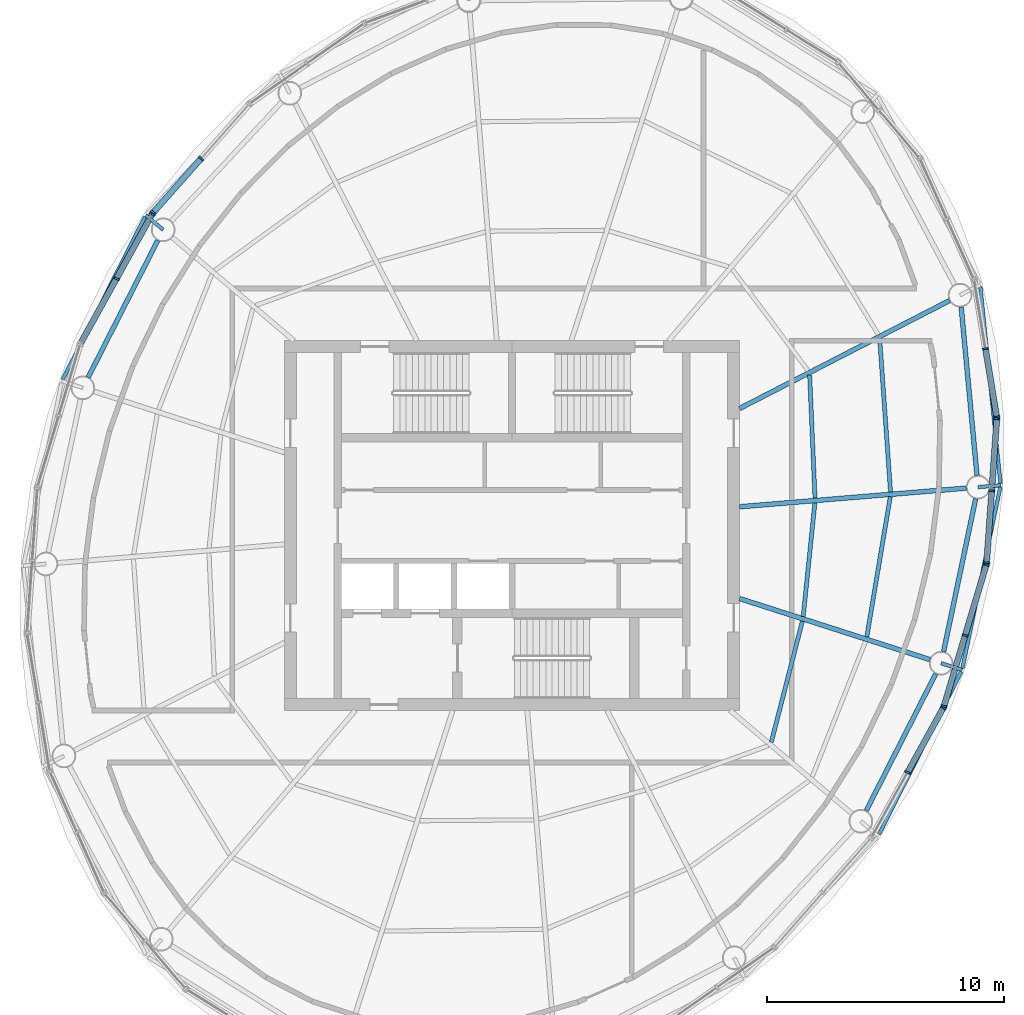
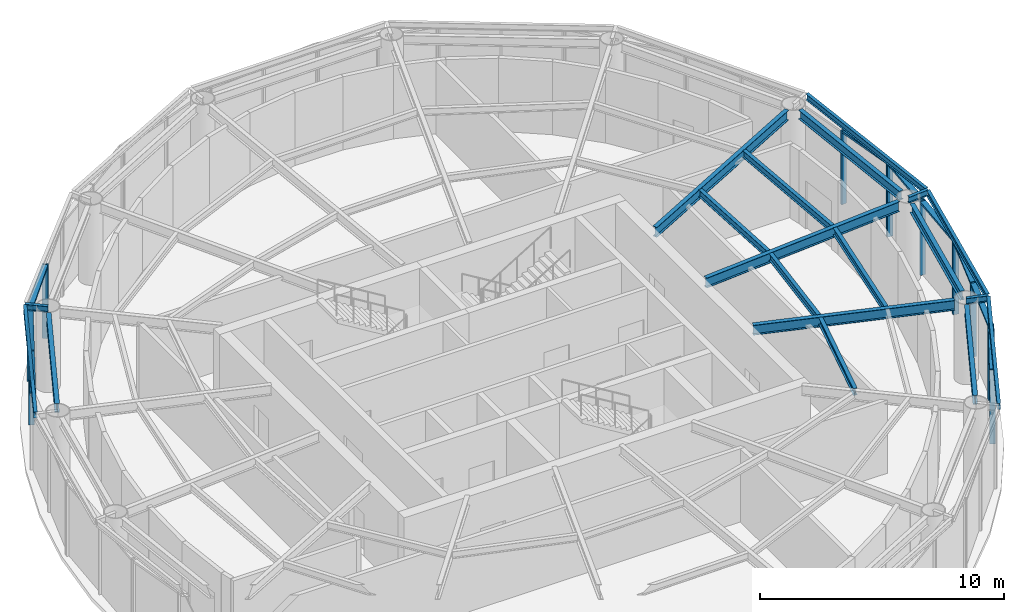
# One storey, part 4 of 11: 23 members, 19 beams, 6 elements without a shape of their own.
"""IFC4 building model written with IfcOpenShell, lengths in metres."""

from ifc_helpers import new_model, si_unit, direction, frame, origin, origin_2d, place, context, subcontext, project, spatial, rectangle, i_section, extrude, material, material_profile, profile_set, type_object, element, aggregate, save


model = new_model("IFC4")

# Units and contexts
model_context = context("Model", 3, precision=1e-05, world=origin(), true_north=direction((0.0, 1.0)))
body_context = subcontext(model_context, "Body", "Model", "MODEL_VIEW")
ifc_project = project(units=[si_unit("LENGTHUNIT", "METRE"), si_unit("AREAUNIT", "SQUARE_METRE"), si_unit("VOLUMEUNIT", "CUBIC_METRE"), si_unit("PLANEANGLEUNIT", "RADIAN"), si_unit("MASSUNIT", "GRAM", prefix="KILO")], contexts=[model_context])

# Site, building, storey
site_placement = place(None, origin())
site = spatial("IfcSite", under=ifc_project, at=site_placement, CompositionType="ELEMENT")
building_placement = place(site_placement, origin())
building = spatial("IfcBuilding", under=site, at=building_placement, Name="Vermilion Reach Broadcast Tower", CompositionType="ELEMENT")
storey_placement = place(building_placement, frame((0.0, 0.0, 317.10009765625)))
storey = spatial("IfcBuildingStorey", under=building, at=storey_placement, Name="L79 CROWN", CompositionType="ELEMENT", Elevation=317.10009765625)

# Curtain wall, members
ifc_material_1 = material(Name="Low-e laminated clear glass in aluminium frame", Category="aluminium")
curtain_wall_type = type_object("IfcCurtainWallType", Name="Crown glazing curtain wall", PredefinedType="NOTDEFINED", material=ifc_material_1)
placement = place(storey_placement, origin())
curtain_wall_1 = element("IfcCurtainWall", 1, at=placement, inside=storey, type_object=curtain_wall_type, Name="Crown glazing L79 CROWN 05", PredefinedType="NOTDEFINED")
ifc_material_2 = material(Name="Anodised aluminium", Category="aluminium")
ifc_material_profile_1 = material_profile(ifc_material_2, rectangle(XDim=0.25, YDim=0.080078125, at=origin_2d()), Name="Crown glazing mullion 80 x 250")
ifc_profile_set_1 = profile_set([ifc_material_profile_1], Name="Anodised aluminium")
member_type_1 = type_object("IfcMemberType", Name="Crown glazing mullion 80 x 250", PredefinedType="MULLION", material=ifc_profile_set_1)
member_1_placement = place(storey_placement, frame((-19.11669921875, 15.484619140625, 0.0), z_axis=(0.0, 0.0, 1.0), x_axis=(0.748407682668, -0.663238976934, 0.0)))
member_1 = element("IfcMember", 2, at=member_1_placement, type_object=member_type_1, Name="Crown glazing mullion L79 CROWN 05.2", PredefinedType="MULLION", context=body_context, shape_type="SweptSolid", body=[
    extrude(rectangle(XDim=0.25, YDim=0.080078125, at=origin_2d()), origin(), (0.0, 0.0, 1.0), 3.699951171875),
])
member_2_placement = place(storey_placement, frame((-21.135498046875, 13.20654296875, 0.0), z_axis=(0.0, 0.0, 1.0), x_axis=(0.748407682668, -0.663238976934, 0.0)))
member_2 = element("IfcMember", 3, at=member_2_placement, type_object=member_type_1, Name="Crown glazing mullion L79 CROWN 05.3", PredefinedType="MULLION", context=body_context, shape_type="SweptSolid", body=[
    extrude(rectangle(XDim=0.25, YDim=0.080078125, at=origin_2d()), origin(), (0.0, 0.0, 1.0), 3.699951171875),
])

curtain_wall_2 = element("IfcCurtainWall", 4, at=placement, inside=storey, type_object=curtain_wall_type, Name="Crown glazing L79 CROWN 06", PredefinedType="NOTDEFINED")
member_3_placement = place(storey_placement, frame((-21.181396484375, 13.1416015625, 0.0), z_axis=(0.0, 0.0, 1.0), x_axis=(0.874983200268, -0.484153280738, 0.0)))
member_3 = element("IfcMember", 5, at=member_3_placement, type_object=member_type_1, Name="Crown glazing mullion L79 CROWN 06.1", PredefinedType="MULLION", context=body_context, shape_type="SweptSolid", body=[
    extrude(rectangle(XDim=0.25, YDim=0.080078125, at=origin_2d()), origin(), (0.0, 0.0, 1.0), 3.699951171875),
])
member_4_placement = place(storey_placement, frame((-22.68896484375, 10.4169921875, 0.0), z_axis=(0.0, 0.0, 1.0), x_axis=(0.874983200268, -0.484153280738, 0.0)))
member_4 = element("IfcMember", 6, at=member_4_placement, type_object=member_type_1, Name="Crown glazing mullion L79 CROWN 06.2", PredefinedType="MULLION", context=body_context, shape_type="SweptSolid", body=[
    extrude(rectangle(XDim=0.25, YDim=0.080078125, at=origin_2d()), origin(), (0.0, 0.0, 1.0), 3.699951171875),
])

curtain_wall_3 = element("IfcCurtainWall", 7, at=placement, inside=storey, type_object=curtain_wall_type, Name="Crown glazing L79 CROWN 18", PredefinedType="NOTDEFINED")
member_5_placement = place(storey_placement, frame((10.68896484375, -10.4169921875, 0.0), z_axis=(0.0, 0.0, 1.0), x_axis=(-0.874983200268, 0.484153280738, 0.0)))
member_5 = element("IfcMember", 8, at=member_5_placement, type_object=member_type_1, Name="Crown glazing mullion L79 CROWN 18.2", PredefinedType="MULLION", context=body_context, shape_type="SweptSolid", body=[
    extrude(rectangle(XDim=0.25, YDim=0.080078125, at=origin_2d()), origin(), (0.0, 0.0, 1.0), 3.699951171875),
])
member_6_placement = place(storey_placement, frame((12.196533203125, -7.6923828125, 0.0), z_axis=(0.0, 0.0, 1.0), x_axis=(-0.874983200268, 0.484153280738, 0.0)))
member_6 = element("IfcMember", 9, at=member_6_placement, type_object=member_type_1, Name="Crown glazing mullion L79 CROWN 18.3", PredefinedType="MULLION", context=body_context, shape_type="SweptSolid", body=[
    extrude(rectangle(XDim=0.25, YDim=0.080078125, at=origin_2d()), origin(), (0.0, 0.0, 1.0), 3.699951171875),
])

curtain_wall_4 = element("IfcCurtainWall", 10, at=placement, inside=storey, type_object=curtain_wall_type, Name="Crown glazing L79 CROWN 19", PredefinedType="NOTDEFINED")
member_7_placement = place(storey_placement, frame((12.2275390625, -7.618896484375, 0.0), z_axis=(0.0, 0.0, 1.0), x_axis=(-0.958107940789, 0.286407356394, 0.0)))
member_7 = element("IfcMember", 11, at=member_7_placement, type_object=member_type_1, Name="Crown glazing mullion L79 CROWN 19.1", PredefinedType="MULLION", context=body_context, shape_type="SweptSolid", body=[
    extrude(rectangle(XDim=0.25, YDim=0.080078125, at=origin_2d()), origin(), (0.0, 0.0, 1.0), 3.699951171875),
])
member_8_placement = place(storey_placement, frame((13.119384765625, -4.635498046875, 0.0), z_axis=(0.0, 0.0, 1.0), x_axis=(-0.958107940789, 0.286407356394, 0.0)))
member_8 = element("IfcMember", 12, at=member_8_placement, type_object=member_type_1, Name="Crown glazing mullion L79 CROWN 19.2", PredefinedType="MULLION", context=body_context, shape_type="SweptSolid", body=[
    extrude(rectangle(XDim=0.25, YDim=0.080078125, at=origin_2d()), origin(), (0.0, 0.0, 1.0), 3.699951171875),
])
member_9_placement = place(storey_placement, frame((14.01123046875, -1.65185546875, 0.0), z_axis=(0.0, 0.0, 1.0), x_axis=(-0.958107940789, 0.286407356394, 0.0)))
member_9 = element("IfcMember", 13, at=member_9_placement, type_object=member_type_1, Name="Crown glazing mullion L79 CROWN 19.3", PredefinedType="MULLION", context=body_context, shape_type="SweptSolid", body=[
    extrude(rectangle(XDim=0.25, YDim=0.080078125, at=origin_2d()), origin(), (0.0, 0.0, 1.0), 3.699951171875),
])

curtain_wall_5 = element("IfcCurtainWall", 14, at=placement, inside=storey, type_object=curtain_wall_type, Name="Crown glazing L79 CROWN 20", PredefinedType="NOTDEFINED")
member_10_placement = place(storey_placement, frame((14.025390625, -1.57373046875, 0.0), z_axis=(0.0, 0.0, 1.0), x_axis=(-0.997499557729, 0.070672712769, 0.0)))
member_10 = element("IfcMember", 15, at=member_10_placement, type_object=member_type_1, Name="Crown glazing mullion L79 CROWN 20.1", PredefinedType="MULLION", context=body_context, shape_type="SweptSolid", body=[
    extrude(rectangle(XDim=0.25, YDim=0.080078125, at=origin_2d()), origin(), (0.0, 0.0, 1.0), 3.699951171875),
])
member_11_placement = place(storey_placement, frame((14.240478515625, 1.46240234375, 0.0), z_axis=(0.0, 0.0, 1.0), x_axis=(-0.997499557729, 0.070672712769, 0.0)))
member_11 = element("IfcMember", 16, at=member_11_placement, type_object=member_type_1, Name="Crown glazing mullion L79 CROWN 20.2", PredefinedType="MULLION", context=body_context, shape_type="SweptSolid", body=[
    extrude(rectangle(XDim=0.25, YDim=0.080078125, at=origin_2d()), origin(), (0.0, 0.0, 1.0), 3.699951171875),
])
member_12_placement = place(storey_placement, frame((14.455810546875, 4.49853515625, 0.0), z_axis=(0.0, 0.0, 1.0), x_axis=(-0.997499557729, 0.070672712769, 0.0)))
member_12 = element("IfcMember", 17, at=member_12_placement, type_object=member_type_1, Name="Crown glazing mullion L79 CROWN 20.3", PredefinedType="MULLION", context=body_context, shape_type="SweptSolid", body=[
    extrude(rectangle(XDim=0.25, YDim=0.080078125, at=origin_2d()), origin(), (0.0, 0.0, 1.0), 3.699951171875),
])

curtain_wall_6 = element("IfcCurtainWall", 18, at=placement, inside=storey, type_object=curtain_wall_type, Name="Crown glazing L79 CROWN 21", PredefinedType="NOTDEFINED")
member_13_placement = place(storey_placement, frame((14.451904296875, 4.577880859375, 0.0), z_axis=(0.0, 0.0, 1.0), x_axis=(-0.986689101121, -0.162618011697, 0.0)))
member_13 = element("IfcMember", 19, at=member_13_placement, type_object=member_type_1, Name="Crown glazing mullion L79 CROWN 21.1", PredefinedType="MULLION", context=body_context, shape_type="SweptSolid", body=[
    extrude(rectangle(XDim=0.25, YDim=0.080078125, at=origin_2d()), origin(), (0.0, 0.0, 1.0), 3.699951171875),
])
member_14_placement = place(storey_placement, frame((13.9775390625, 7.456787109375, 0.0), z_axis=(0.0, 0.0, 1.0), x_axis=(-0.986689101121, -0.162618011697, 0.0)))
member_14 = element("IfcMember", 20, at=member_14_placement, type_object=member_type_1, Name="Crown glazing mullion L79 CROWN 21.2", PredefinedType="MULLION", context=body_context, shape_type="SweptSolid", body=[
    extrude(rectangle(XDim=0.25, YDim=0.080078125, at=origin_2d()), origin(), (0.0, 0.0, 1.0), 3.699951171875),
])

# Member
ifc_material_3 = material(Name="Anodised aluminium", Category="aluminium")
ifc_material_profile_2 = material_profile(ifc_material_3, rectangle(XDim=0.25, YDim=0.10009765625, at=origin_2d()), Name="Crown glazing transom 250 x 100")
ifc_profile_set_2 = profile_set([ifc_material_profile_2], Name="Anodised aluminium")
member_type_2 = type_object("IfcMemberType", Name="Crown glazing transom 250 x 100", PredefinedType="USERDEFINED", material=ifc_profile_set_2)
member_15_placement = place(storey_placement, frame((-19.143310546875, 15.45458984375, 3.64990234375), z_axis=(-0.663233067327, -0.74841291972, 0.0), x_axis=(0.74841291972, -0.663233067327, 0.0)))
member_15 = element("IfcMember", 21, at=member_15_placement, type_object=member_type_2, Name="Crown glazing transom L79 CROWN 05.2.2", ObjectType="TRANSOM", PredefinedType="USERDEFINED", context=body_context, shape_type="SweptSolid", body=[
    extrude(rectangle(XDim=0.25, YDim=0.10009765625, at=origin_2d()), origin(), (0.0, 0.0, 1.0), 2.963623046875),
])

aggregate(curtain_wall_1, [member_1, member_2, member_15])

member_16_placement = place(storey_placement, frame((-21.20068359375, 13.106689453125, 3.64990234375), z_axis=(-0.484159697597, -0.874979649605, 0.0), x_axis=(0.874979649605, -0.484159697597, 0.0)))
member_16 = element("IfcMember", 22, at=member_16_placement, type_object=member_type_2, Name="Crown glazing transom L79 CROWN 06.1.2", ObjectType="TRANSOM", PredefinedType="USERDEFINED", context=body_context, shape_type="SweptSolid", body=[
    extrude(rectangle(XDim=0.25, YDim=0.10009765625, at=origin_2d()), origin(), (0.0, 0.0, 1.0), 3.0341796875),
])

member_17_placement = place(storey_placement, frame((-22.70849609375, 10.382080078125, 3.64990234375), z_axis=(-0.484098090619, -0.875013736269, 0.0), x_axis=(0.875013736269, -0.484098090619, 0.0)))
member_17 = element("IfcMember", 23, at=member_17_placement, type_object=member_type_2, Name="Crown glazing transom L79 CROWN 06.2.2", ObjectType="TRANSOM", PredefinedType="USERDEFINED", context=body_context, shape_type="SweptSolid", body=[
    extrude(rectangle(XDim=0.25, YDim=0.10009765625, at=origin_2d()), origin(), (0.0, 0.0, 1.0), 3.033935546875),
])

aggregate(curtain_wall_2, [member_3, member_4, member_16, member_17])

member_18_placement = place(storey_placement, frame((10.70849609375, -10.382080078125, 3.64990234375), z_axis=(0.484098090619, 0.875013736269, 0.0), x_axis=(-0.875013736269, 0.484098090619, 0.0)))
member_18 = element("IfcMember", 24, at=member_18_placement, type_object=member_type_2, Name="Crown glazing transom L79 CROWN 18.2.2", ObjectType="TRANSOM", PredefinedType="USERDEFINED", context=body_context, shape_type="SweptSolid", body=[
    extrude(rectangle(XDim=0.25, YDim=0.10009765625, at=origin_2d()), origin(), (0.0, 0.0, 1.0), 3.033935546875),
])

aggregate(curtain_wall_3, [member_5, member_6, member_18])

member_19_placement = place(storey_placement, frame((12.239013671875, -7.58056640625, 3.64990234375), z_axis=(0.286402743865, 0.958109319601, 0.0), x_axis=(-0.958109319601, 0.286402743865, 0.0)))
member_19 = element("IfcMember", 25, at=member_19_placement, type_object=member_type_2, Name="Crown glazing transom L79 CROWN 19.1.2", ObjectType="TRANSOM", PredefinedType="USERDEFINED", context=body_context, shape_type="SweptSolid", body=[
    extrude(rectangle(XDim=0.25, YDim=0.10009765625, at=origin_2d()), origin(), (0.0, 0.0, 1.0), 3.033935546875),
])

member_20_placement = place(storey_placement, frame((13.130859375, -4.59716796875, 3.64990234375), z_axis=(0.286380663338, 0.958115919744, 0.0), x_axis=(-0.958115919744, 0.286380663338, 0.0)))
member_20 = element("IfcMember", 26, at=member_20_placement, type_object=member_type_2, Name="Crown glazing transom L79 CROWN 19.2.2", ObjectType="TRANSOM", PredefinedType="USERDEFINED", context=body_context, shape_type="SweptSolid", body=[
    extrude(rectangle(XDim=0.25, YDim=0.10009765625, at=origin_2d()), origin(), (0.0, 0.0, 1.0), 3.0341796875),
])

aggregate(curtain_wall_4, [member_7, member_8, member_9, member_19, member_20])

member_21_placement = place(storey_placement, frame((14.0283203125, -1.533935546875, 3.64990234375), z_axis=(0.07067918302, 0.997499099292, 0.0), x_axis=(-0.997499099292, 0.07067918302, 0.0)))
member_21 = element("IfcMember", 27, at=member_21_placement, type_object=member_type_2, Name="Crown glazing transom L79 CROWN 20.1.2", ObjectType="TRANSOM", PredefinedType="USERDEFINED", context=body_context, shape_type="SweptSolid", body=[
    extrude(rectangle(XDim=0.25, YDim=0.10009765625, at=origin_2d()), origin(), (0.0, 0.0, 1.0), 2.963623046875),
])

member_22_placement = place(storey_placement, frame((14.243408203125, 1.502197265625, 3.64990234375), z_axis=(0.07067918302, 0.997499099292, 0.0), x_axis=(-0.997499099292, 0.07067918302, 0.0)))
member_22 = element("IfcMember", 28, at=member_22_placement, type_object=member_type_2, Name="Crown glazing transom L79 CROWN 20.2.2", ObjectType="TRANSOM", PredefinedType="USERDEFINED", context=body_context, shape_type="SweptSolid", body=[
    extrude(rectangle(XDim=0.25, YDim=0.10009765625, at=origin_2d()), origin(), (0.0, 0.0, 1.0), 2.963623046875),
])

aggregate(curtain_wall_5, [member_10, member_11, member_12, member_21, member_22])

member_23_placement = place(storey_placement, frame((14.445556640625, 4.6171875, 3.64990234375), z_axis=(-0.162599033258, 0.986692228805, 0.0), x_axis=(-0.986692228805, -0.162599033258, 0.0)))
member_23 = element("IfcMember", 29, at=member_23_placement, type_object=member_type_2, Name="Crown glazing transom L79 CROWN 21.1.2", ObjectType="TRANSOM", PredefinedType="USERDEFINED", context=body_context, shape_type="SweptSolid", body=[
    extrude(rectangle(XDim=0.25, YDim=0.10009765625, at=origin_2d()), origin(), (0.0, 0.0, 1.0), 2.837890625),
])

aggregate(curtain_wall_6, [member_13, member_14, member_23])

# Beams
ifc_material_4 = material(Name="Steel S355J2", Category="steel")
ifc_material_profile_3 = material_profile(ifc_material_4, i_section(OverallWidth=0.14990234375, OverallDepth=0.300048828125, WebThickness=0.006591796875, FlangeThickness=0.009033203125, at=origin_2d()), Name="S355J2 HN 300x150x6.5x9")
ifc_profile_set_3 = profile_set([ifc_material_profile_3], Name="Steel S355J2")
beam_type_1 = type_object("IfcBeamType", Name="EB5 HN 300x150x6.5x9", PredefinedType="BEAM", material=ifc_profile_set_3)
for number, where, z_axis, x_axis, name in (
    (30, (-21.48291015625, 13.02734375, 3.849853515625), (-0.451232435887, -0.892406459414, 0.0), (0.892406459414, -0.451232435887, 0.0), "Edge beam EB5-04"),
    (31, (9.48291015625, -13.02734375, 3.849853515625), (0.451232435887, 0.892406459414, 0.0), (-0.892406459414, 0.451232435887, 0.0), "Edge beam EB5-12"),
):
    element("IfcBeam", number, at=place(storey_placement, frame(where, z_axis=z_axis, x_axis=x_axis)), inside=storey, type_object=beam_type_1, Name=name, PredefinedType="BEAM", context=body_context, shape_type="SweptSolid", body=[
        extrude(i_section(OverallWidth=0.14990234375, OverallDepth=0.300048828125, WebThickness=0.006591796875, FlangeThickness=0.009033203125, at=origin_2d()), origin(), (0.0, 0.0, 1.0), 7.6943359375),
    ])
beam_1_placement = place(storey_placement, frame((13.00439453125, -6.019287109375, 3.849853515625), z_axis=(0.204738436734, 0.978816720599, 0.0), x_axis=(-0.978816720599, 0.204738436734, 0.0)))
element("IfcBeam", 32, at=beam_1_placement, inside=storey, type_object=beam_type_1, Name="Edge beam EB5-13", PredefinedType="BEAM", context=body_context, shape_type="SweptSolid", body=[
    extrude(i_section(OverallWidth=0.14990234375, OverallDepth=0.300048828125, WebThickness=0.006591796875, FlangeThickness=0.009033203125, at=origin_2d()), origin(), (0.0, 0.0, 1.0), 7.806884765625),
])
beam_2_placement = place(storey_placement, frame((14.611083984375, 1.7734375, 3.849853515625), z_axis=(-0.102011792202, 0.99478318957, 0.0), x_axis=(-0.99478318957, -0.102011792202, 0.0)))
element("IfcBeam", 33, at=beam_2_placement, inside=storey, type_object=beam_type_1, Name="Edge beam EB5-14", PredefinedType="BEAM", context=body_context, shape_type="SweptSolid", body=[
    extrude(i_section(OverallWidth=0.14990234375, OverallDepth=0.300048828125, WebThickness=0.006591796875, FlangeThickness=0.009033203125, at=origin_2d()), origin(), (0.0, 0.0, 1.0), 8.34521484375),
])
ifc_material_5 = material(Name="Steel S355J2", Category="steel")
ifc_material_profile_4 = material_profile(ifc_material_5, i_section(OverallWidth=0.199951171875, OverallDepth=0.5, WebThickness=0.010009765625, FlangeThickness=0.01611328125, at=origin_2d()), Name="S355J2 HN 500x200x10x16")
ifc_profile_set_4 = profile_set([ifc_material_profile_4], Name="Steel S355J2")
beam_type_2 = type_object("IfcBeamType", Name="G5 HN 500x200x10x16", PredefinedType="BEAM", material=ifc_profile_set_4)
beam_3_placement = place(storey_placement, frame((3.60009765625, -3.080322265625, 3.75), z_axis=(0.952178453449, -0.305542456604, 0.0), x_axis=(0.305542456604, 0.952178453449, 0.0)))
element("IfcBeam", 34, at=beam_3_placement, inside=storey, type_object=beam_type_2, Name="Girder G5-13", PredefinedType="BEAM", context=body_context, shape_type="SweptSolid", body=[
    extrude(i_section(OverallWidth=0.199951171875, OverallDepth=0.5, WebThickness=0.010009765625, FlangeThickness=0.01611328125, at=origin_2d()), origin(), (0.0, 0.0, 1.0), 8.43310546875),
])
beam_4_placement = place(storey_placement, frame((3.60009765625, 0.791015625, 3.75), z_axis=(0.996624410075, 0.082096195058, 0.0), x_axis=(-0.082096195058, 0.996624410075, 0.0)))
element("IfcBeam", 35, at=beam_4_placement, inside=storey, type_object=beam_type_2, Name="Girder G5-14", PredefinedType="BEAM", context=body_context, shape_type="SweptSolid", body=[
    extrude(i_section(OverallWidth=0.199951171875, OverallDepth=0.5, WebThickness=0.010009765625, FlangeThickness=0.01611328125, at=origin_2d()), origin(), (0.0, 0.0, 1.0), 9.599609375),
])
beam_5_placement = place(storey_placement, frame((3.60009765625, 4.935791015625, 3.75), z_axis=(0.889332502449, 0.457261085254, 0.0), x_axis=(-0.457261085254, 0.889332502449, 0.0)))
element("IfcBeam", 36, at=beam_5_placement, inside=storey, type_object=beam_type_2, Name="Girder G5-15", PredefinedType="BEAM", context=body_context, shape_type="SweptSolid", body=[
    extrude(i_section(OverallWidth=0.199951171875, OverallDepth=0.5, WebThickness=0.010009765625, FlangeThickness=0.01611328125, at=origin_2d()), origin(), (0.0, 0.0, 1.0), 9.96337890625),
])
ifc_material_6 = material(Name="Steel S355J2", Category="steel")
ifc_material_profile_5 = material_profile(ifc_material_6, i_section(OverallWidth=0.14990234375, OverallDepth=0.300048828125, WebThickness=0.006591796875, FlangeThickness=0.009033203125, at=origin_2d()), Name="S355J2 HN 300x150x6.5x9")
ifc_profile_set_5 = profile_set([ifc_material_profile_5], Name="Steel S355J2")
beam_type_3 = type_object("IfcBeamType", Name="GS5 HN 300x150x6.5x9", PredefinedType="BEAM", material=ifc_profile_set_5)
beam_6_placement = place(storey_placement, frame((-20.717529296875, 12.476806640625, 3.849853515625), z_axis=(-0.762718692688, 0.64673038882, 0.0), x_axis=(-0.64673038882, -0.762718692688, 0.0)))
element("IfcBeam", 37, at=beam_6_placement, inside=storey, type_object=beam_type_3, Name="Cantilever stub GS5-04", PredefinedType="BEAM", context=body_context, shape_type="SweptSolid", body=[
    extrude(i_section(OverallWidth=0.14990234375, OverallDepth=0.300048828125, WebThickness=0.006591796875, FlangeThickness=0.009033203125, at=origin_2d()), origin(), (0.0, 0.0, 1.0), 0.957763671875),
])
beam_7_placement = place(storey_placement, frame((12.10595703125, -5.809814453125, 3.849853515625), z_axis=(0.952228317443, -0.305387019141, 0.0), x_axis=(0.305387019141, 0.952228317443, 0.0)))
element("IfcBeam", 38, at=beam_7_placement, inside=storey, type_object=beam_type_3, Name="Cantilever stub GS5-13", PredefinedType="BEAM", context=body_context, shape_type="SweptSolid", body=[
    extrude(i_section(OverallWidth=0.14990234375, OverallDepth=0.300048828125, WebThickness=0.006591796875, FlangeThickness=0.009033203125, at=origin_2d()), origin(), (0.0, 0.0, 1.0), 0.92724609375),
])
beam_8_placement = place(storey_placement, frame((13.665771484375, 1.620361328125, 3.849853515625), z_axis=(0.996634988565, 0.081967673925, 0.0), x_axis=(-0.081967673925, 0.996634988565, 0.0)))
element("IfcBeam", 39, at=beam_8_placement, inside=storey, type_object=beam_type_3, Name="Cantilever stub GS5-14", PredefinedType="BEAM", context=body_context, shape_type="SweptSolid", body=[
    extrude(i_section(OverallWidth=0.14990234375, OverallDepth=0.300048828125, WebThickness=0.006591796875, FlangeThickness=0.009033203125, at=origin_2d()), origin(), (0.0, 0.0, 1.0), 0.9560546875),
])
ifc_material_7 = material(Name="Steel S355J2", Category="steel")
ifc_material_profile_6 = material_profile(ifc_material_7, i_section(OverallWidth=0.199951171875, OverallDepth=0.449951171875, WebThickness=0.009033203125, FlangeThickness=0.013916015625, at=origin_2d()), Name="S355J2 HN 450x200x9x14")
ifc_profile_set_6 = profile_set([ifc_material_profile_6], Name="Steel S355J2")
beam_type_4 = type_object("IfcBeamType", Name="RB5 HN 450x200x9x14", PredefinedType="BEAM", material=ifc_profile_set_6)
for number, where, z_axis, x_axis, name in (
    (40, (-20.944091796875, 12.03125, 3.77490234375), (-0.453052302855, -0.891483937532, 0.0), (0.891483937532, -0.453052302855, 0.0), "Ring beam RB5-04"),
    (41, (8.944091796875, -12.03125, 3.77490234375), (0.453052302855, 0.891483937532, 0.0), (-0.891483937532, 0.453052302855, 0.0), "Ring beam RB5-12"),
):
    element("IfcBeam", number, at=place(storey_placement, frame(where, z_axis=z_axis, x_axis=x_axis)), inside=storey, type_object=beam_type_4, Name=name, PredefinedType="BEAM", context=body_context, shape_type="SweptSolid", body=[
        extrude(i_section(OverallWidth=0.199951171875, OverallDepth=0.449951171875, WebThickness=0.009033203125, FlangeThickness=0.013916015625, at=origin_2d()), origin(), (0.0, 0.0, 1.0), 6.47900390625),
    ])
beam_9_placement = place(storey_placement, frame((12.208740234375, -5.3203125, 3.77490234375), z_axis=(0.205444869285, 0.978668690459, 0.0), x_axis=(-0.978668690459, 0.205444869285, 0.0)))
element("IfcBeam", 42, at=beam_9_placement, inside=storey, type_object=beam_type_4, Name="Ring beam RB5-13", PredefinedType="BEAM", context=body_context, shape_type="SweptSolid", body=[
    extrude(i_section(OverallWidth=0.199951171875, OverallDepth=0.449951171875, WebThickness=0.009033203125, FlangeThickness=0.013916015625, at=origin_2d()), origin(), (0.0, 0.0, 1.0), 6.591796875),
])
beam_10_placement = place(storey_placement, frame((13.618896484375, 2.1181640625, 3.77490234375), z_axis=(-0.093441399272, 0.995624781181, 0.0), x_axis=(-0.995624781181, -0.093441399272, 0.0)))
element("IfcBeam", 43, at=beam_10_placement, inside=storey, type_object=beam_type_4, Name="Ring beam RB5-14", PredefinedType="BEAM", context=body_context, shape_type="SweptSolid", body=[
    extrude(i_section(OverallWidth=0.199951171875, OverallDepth=0.449951171875, WebThickness=0.009033203125, FlangeThickness=0.013916015625, at=origin_2d()), origin(), (0.0, 0.0, 1.0), 7.135498046875),
])
ifc_material_8 = material(Name="Steel S355J2", Category="steel")
ifc_material_profile_7 = material_profile(ifc_material_8, i_section(OverallWidth=0.175048828125, OverallDepth=0.35009765625, WebThickness=0.007080078125, FlangeThickness=0.010986328125, at=origin_2d()), Name="S355J2 HN 350x175x7x11")
ifc_profile_set_7 = profile_set([ifc_material_profile_7], Name="Steel S355J2")
beam_type_5 = type_object("IfcBeamType", Name="SB5 HN 350x175x7x11", PredefinedType="BEAM", material=ifc_profile_set_7)
beam_11_placement = place(storey_placement, frame((4.940185546875, -9.1435546875, 3.824951171875), z_axis=(0.248729575729, 0.968572969971, 0.0), x_axis=(-0.968572969971, 0.248729575729, 0.0)))
element("IfcBeam", 44, at=beam_11_placement, inside=storey, type_object=beam_type_5, Name="Secondary beam SB5-12-1", PredefinedType="BEAM", context=body_context, shape_type="SweptSolid", body=[
    extrude(i_section(OverallWidth=0.175048828125, OverallDepth=0.35009765625, WebThickness=0.007080078125, FlangeThickness=0.010986328125, at=origin_2d()), origin(), (0.0, 0.0, 1.0), 5.27294921875),
])
beam_12_placement = place(storey_placement, frame((6.287109375, -3.837646484375, 3.824951171875), z_axis=(0.102113775264, 0.994772726255, 0.0), x_axis=(-0.994772726255, 0.102113775264, 0.0)))
element("IfcBeam", 45, at=beam_12_placement, inside=storey, type_object=beam_type_5, Name="Secondary beam SB5-13-1", PredefinedType="BEAM", context=body_context, shape_type="SweptSolid", body=[
    extrude(i_section(OverallWidth=0.175048828125, OverallDepth=0.35009765625, WebThickness=0.007080078125, FlangeThickness=0.010986328125, at=origin_2d()), origin(), (0.0, 0.0, 1.0), 4.815185546875),
])
beam_13_placement = place(storey_placement, frame((8.969970703125, -4.698486328125, 3.824951171875), z_axis=(0.16532337011, 0.986239414795, 0.0), x_axis=(-0.986239414795, 0.16532337011, 0.0)))
element("IfcBeam", 46, at=beam_13_placement, inside=storey, type_object=beam_type_5, Name="Secondary beam SB5-13-2", PredefinedType="BEAM", context=body_context, shape_type="SweptSolid", body=[
    extrude(i_section(OverallWidth=0.175048828125, OverallDepth=0.35009765625, WebThickness=0.007080078125, FlangeThickness=0.010986328125, at=origin_2d()), origin(), (0.0, 0.0, 1.0), 5.99560546875),
])
beam_14_placement = place(storey_placement, frame((6.78466796875, 1.153564453125, 3.824951171875), z_axis=(-0.043557530017, 0.999050920413, 0.0), x_axis=(-0.999050920413, -0.043557530017, 0.0)))
element("IfcBeam", 47, at=beam_14_placement, inside=storey, type_object=beam_type_5, Name="Secondary beam SB5-14-1", PredefinedType="BEAM", context=body_context, shape_type="SweptSolid", body=[
    extrude(i_section(OverallWidth=0.175048828125, OverallDepth=0.35009765625, WebThickness=0.007080078125, FlangeThickness=0.010986328125, at=origin_2d()), origin(), (0.0, 0.0, 1.0), 5.19580078125),
])
beam_15_placement = place(storey_placement, frame((9.97119140625, 1.416259765625, 3.824951171875), z_axis=(-0.070586780458, 0.997505642302, 0.0), x_axis=(-0.997505642302, -0.070586780458, 0.0)))
element("IfcBeam", 48, at=beam_15_placement, inside=storey, type_object=beam_type_5, Name="Secondary beam SB5-14-2", PredefinedType="BEAM", context=body_context, shape_type="SweptSolid", body=[
    extrude(i_section(OverallWidth=0.175048828125, OverallDepth=0.35009765625, WebThickness=0.007080078125, FlangeThickness=0.010986328125, at=origin_2d()), origin(), (0.0, 0.0, 1.0), 6.46435546875),
])

save(model, "model.ifc")
